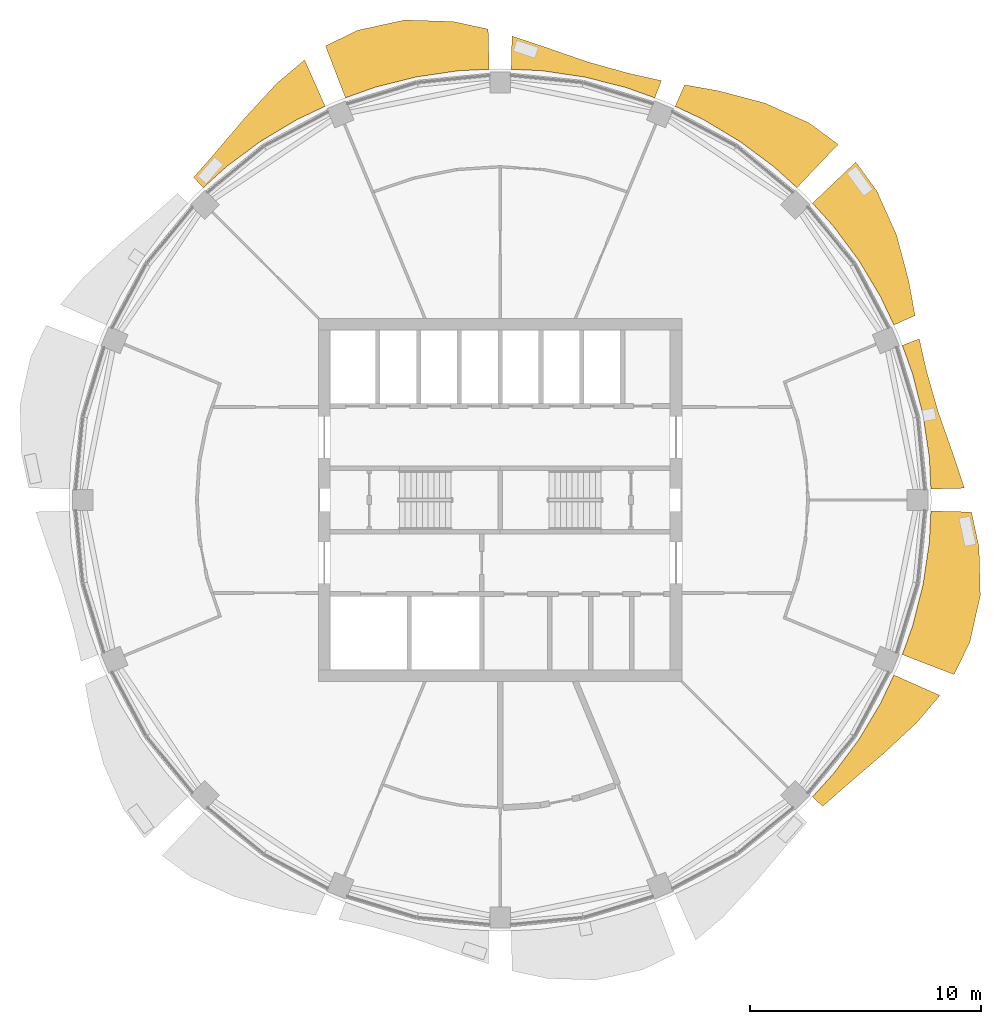
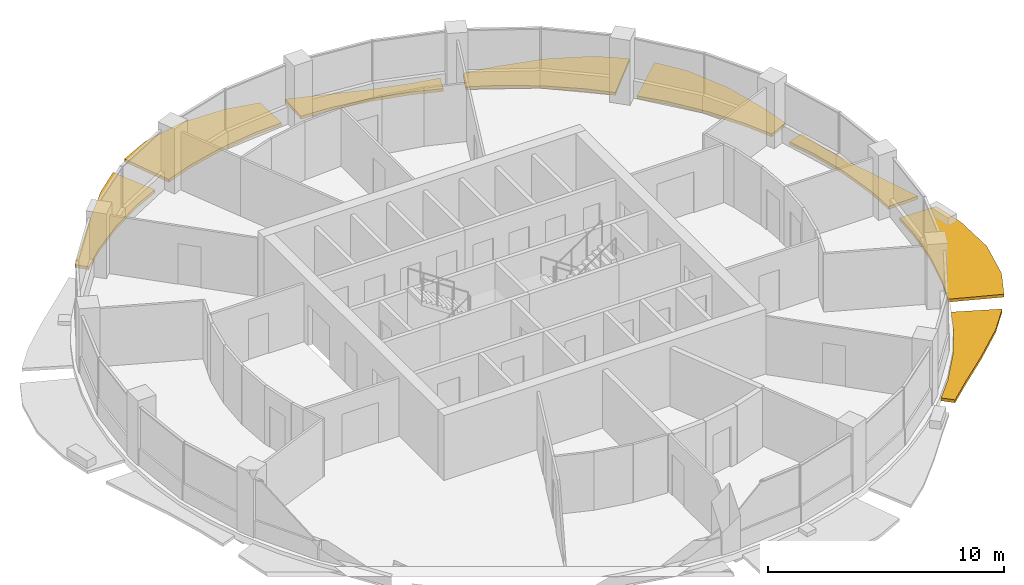
# One storey, part 14 of 15: 8 shading devices.
"""IFC4 building model written with IfcOpenShell, lengths in metres."""

from ifc_helpers import new_model, si_unit, direction, frame, origin, place, context, subcontext, project, spatial, polyline, outline, extrude, material, type_object, element, save


model = new_model("IFC4")

# Units and contexts
model_context = context("Model", 3, precision=1e-05, world=origin(), true_north=direction((0.0, 1.0)))
body_context = subcontext(model_context, "Body", "Model", "MODEL_VIEW")
ifc_project = project(units=[si_unit("LENGTHUNIT", "METRE"), si_unit("AREAUNIT", "SQUARE_METRE"), si_unit("VOLUMEUNIT", "CUBIC_METRE"), si_unit("PLANEANGLEUNIT", "RADIAN"), si_unit("MASSUNIT", "GRAM", prefix="KILO")], contexts=[model_context])

# Site, building, storey
site_placement = place(None, origin())
site = spatial("IfcSite", under=ifc_project, at=site_placement, CompositionType="ELEMENT")
building_placement = place(site_placement, origin())
building = spatial("IfcBuilding", under=site, at=building_placement, Name="Polderwave Tower", CompositionType="ELEMENT")
storey_placement = place(building_placement, frame((0.0, 0.0, 170.89990234375)))
storey = spatial("IfcBuildingStorey", under=building, at=storey_placement, Name="L45", CompositionType="ELEMENT", Elevation=170.89990234375)

# Shading devices
ifc_material = material(Name="Terracotta", Category="masonry")
shading_device_type = type_object("IfcShadingDeviceType", Name="Terracotta sunshade band", PredefinedType="USERDEFINED", material=ifc_material)
shading_device_1_placement = place(storey_placement, frame((0.0, 0.0, -0.349853515625)))
element("IfcShadingDevice", 1, at=shading_device_1_placement, inside=storey, type_object=shading_device_type, Name="Sunshade band L45 1", ObjectType="SUNSHADE", PredefinedType="USERDEFINED", context=body_context, shape_type="SweptSolid", body=[
    extrude(outline(polyline([(18.676513671875, 0.476318359375), (18.610107421875, 1.8330078125), (18.3408203125, 3.648193359375), (17.894775390625, 5.42822265625), (17.437255859375, 6.707275390625), (18.17236328125, 6.989990234375), (18.485595703125, 5.607421875), (19.007568359375, 3.78076171875), (19.657470703125, 1.93603515625), (20.13330078125, 0.51318359375), (18.676513671875, 0.476318359375)])), origin(), (0.0, 0.0, 1.0), 0.14990234375),
])
shading_device_2_placement = place(storey_placement, frame((0.0, 0.0, -0.349853515625)))
element("IfcShadingDevice", 2, at=shading_device_2_placement, inside=storey, type_object=shading_device_type, Name="Sunshade band L45 2", ObjectType="SUNSHADE", PredefinedType="USERDEFINED", context=body_context, shape_type="SweptSolid", body=[
    extrude(outline(polyline([(17.07275390625, 7.587158203125), (16.491943359375, 8.815185546875), (15.548583984375, 10.38916015625), (14.455322265625, 11.86328125), (13.543212890625, 12.86962890625), (15.418212890625, 14.651611328125), (16.330810546875, 13.402099609375), (17.189697265625, 11.485595703125), (17.72265625, 9.472900390625), (17.987548828125, 7.99365234375), (17.07275390625, 7.587158203125)])), origin(), (0.0, 0.0, 1.0), 0.14990234375),
])
shading_device_3_placement = place(storey_placement, frame((0.0, 0.0, -0.349853515625)))
element("IfcShadingDevice", 3, at=shading_device_3_placement, inside=storey, type_object=shading_device_type, Name="Sunshade band L45 3", ObjectType="SUNSHADE", PredefinedType="USERDEFINED", context=body_context, shape_type="SweptSolid", body=[
    extrude(outline(polyline([(12.86962890625, 13.543212890625), (11.86328125, 14.455322265625), (10.38916015625, 15.548583984375), (8.815185546875, 16.491943359375), (7.587158203125, 17.07275390625), (8.0, 18.001708984375), (9.48193359375, 17.7392578125), (11.49560546875, 17.204345703125), (13.408935546875, 16.339111328125), (14.653564453125, 15.42041015625), (12.86962890625, 13.543212890625)])), origin(), (0.0, 0.0, 1.0), 0.14990234375),
])
shading_device_4_placement = place(storey_placement, frame((0.0, 0.0, -0.349853515625)))
element("IfcShadingDevice", 4, at=shading_device_4_placement, inside=storey, type_object=shading_device_type, Name="Sunshade band L45 4", ObjectType="SUNSHADE", PredefinedType="USERDEFINED", context=body_context, shape_type="SweptSolid", body=[
    extrude(outline(polyline([(6.707275390625, 17.437255859375), (5.42822265625, 17.894775390625), (3.648193359375, 18.3408203125), (1.8330078125, 18.610107421875), (0.476318359375, 18.676513671875), (0.5126953125, 20.1142578125), (1.9345703125, 19.641357421875), (3.779296875, 19.000244140625), (5.608642578125, 18.4892578125), (6.994140625, 18.18310546875), (6.707275390625, 17.437255859375)])), origin(), (0.0, 0.0, 1.0), 0.14990234375),
])
shading_device_5_placement = place(storey_placement, frame((0.0, 0.0, -0.349853515625)))
element("IfcShadingDevice", 5, at=shading_device_5_placement, inside=storey, type_object=shading_device_type, Name="Sunshade band L45 5", ObjectType="SUNSHADE", PredefinedType="USERDEFINED", context=body_context, shape_type="SweptSolid", body=[
    extrude(outline(polyline([(-0.476318359375, 18.676513671875), (-1.8330078125, 18.610107421875), (-3.648193359375, 18.3408203125), (-5.42822265625, 17.894775390625), (-6.707275390625, 17.437255859375), (-7.5732421875, 19.688720703125), (-6.177978515625, 20.3662109375), (-4.139892578125, 20.8125), (-2.04345703125, 20.7470703125), (-0.5205078125, 20.418701171875), (-0.476318359375, 18.676513671875)])), origin(), (0.0, 0.0, 1.0), 0.14990234375),
])
shading_device_6_placement = place(storey_placement, frame((0.0, 0.0, -0.349853515625)))
element("IfcShadingDevice", 6, at=shading_device_6_placement, inside=storey, type_object=shading_device_type, Name="Sunshade band L45 6", ObjectType="SUNSHADE", PredefinedType="USERDEFINED", context=body_context, shape_type="SweptSolid", body=[
    extrude(outline(polyline([(-7.587158203125, 17.07275390625), (-8.815185546875, 16.491943359375), (-10.38916015625, 15.548583984375), (-11.86328125, 14.455322265625), (-12.86962890625, 13.543212890625), (-13.2919921875, 13.987548828125), (-12.35400390625, 15.0537109375), (-11.0703125, 16.568115234375), (-9.665771484375, 18.08349609375), (-8.47998046875, 19.08203125), (-7.587158203125, 17.07275390625)])), origin(), (0.0, 0.0, 1.0), 0.14990234375),
])
shading_device_7_placement = place(storey_placement, frame((0.0, 0.0, -0.349853515625)))
element("IfcShadingDevice", 7, at=shading_device_7_placement, inside=storey, type_object=shading_device_type, Name="Sunshade band L45 15", ObjectType="SUNSHADE", PredefinedType="USERDEFINED", context=body_context, shape_type="SweptSolid", body=[
    extrude(outline(polyline([(13.543212890625, -12.86962890625), (14.455322265625, -11.86328125), (15.548583984375, -10.38916015625), (16.491943359375, -8.815185546875), (17.07275390625, -7.587158203125), (19.06787109375, -8.473876953125), (18.066650390625, -9.65673828125), (16.55322265625, -11.060546875), (15.04541015625, -12.347412109375), (13.9853515625, -13.2900390625), (13.543212890625, -12.86962890625)])), origin(), (0.0, 0.0, 1.0), 0.14990234375),
])
shading_device_8_placement = place(storey_placement, frame((0.0, 0.0, -0.349853515625)))
element("IfcShadingDevice", 8, at=shading_device_8_placement, inside=storey, type_object=shading_device_type, Name="Sunshade band L45 16", ObjectType="SUNSHADE", PredefinedType="USERDEFINED", context=body_context, shape_type="SweptSolid", body=[
    extrude(outline(polyline([(17.437255859375, -6.707275390625), (17.894775390625, -5.42822265625), (18.3408203125, -3.648193359375), (18.610107421875, -1.8330078125), (18.676513671875, -0.476318359375), (20.43798828125, -0.52099609375), (20.76318359375, -2.044921875), (20.819580078125, -4.141357421875), (20.362548828125, -6.177001953125), (19.677978515625, -7.569091796875), (17.437255859375, -6.707275390625)])), origin(), (0.0, 0.0, 1.0), 0.14990234375),
])

save(model, "model.ifc")
